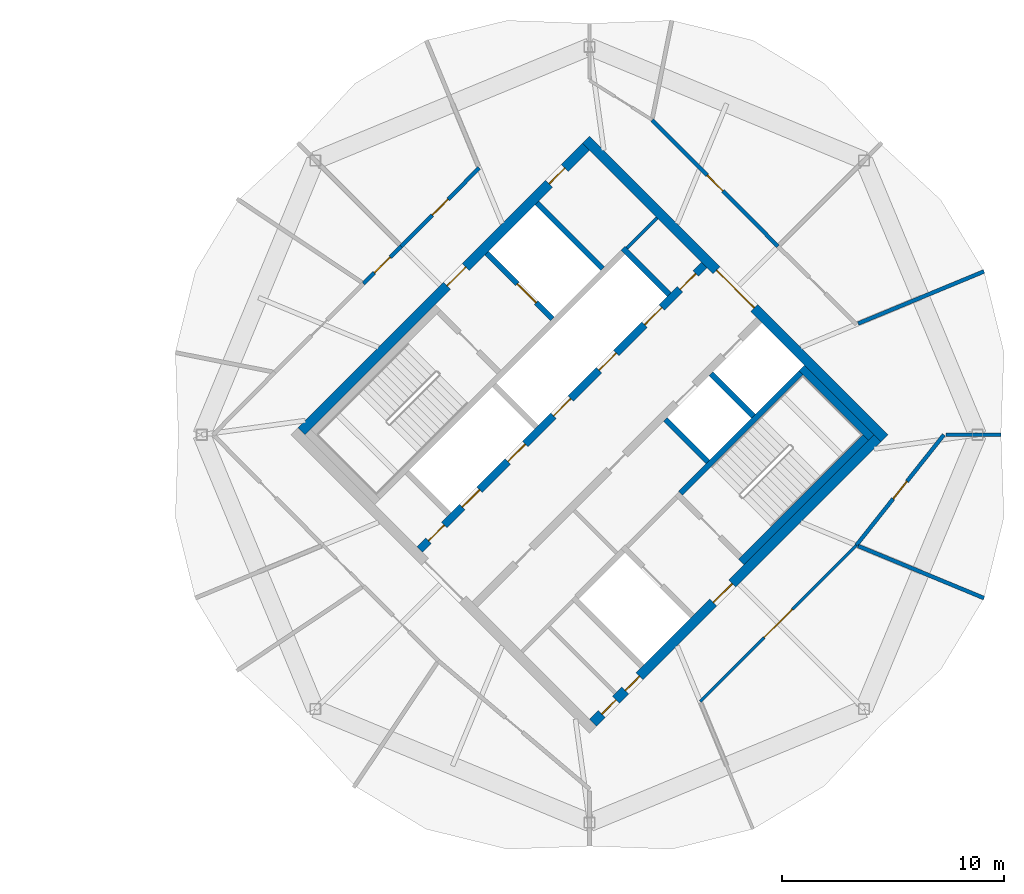
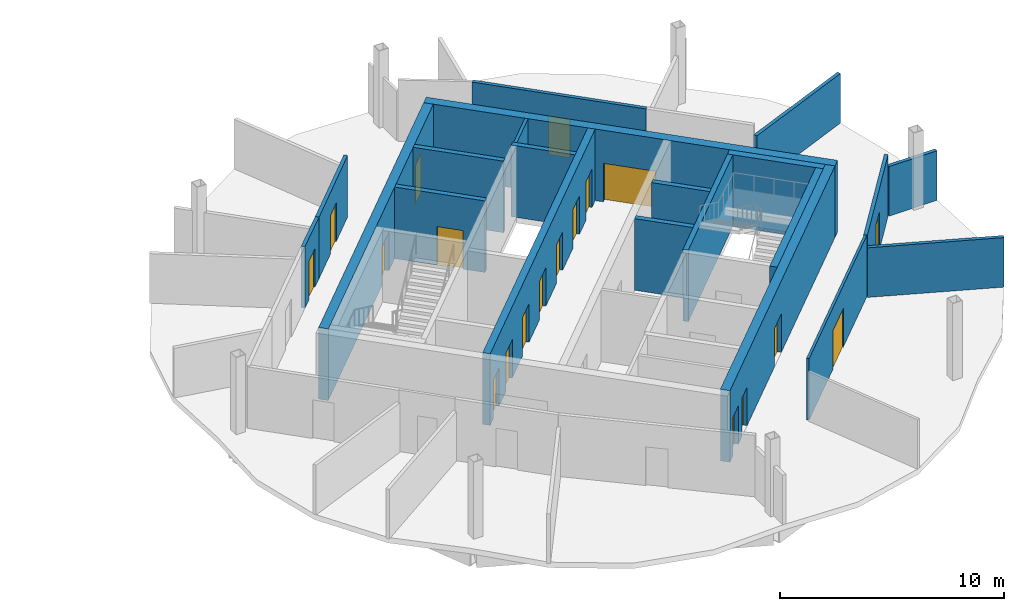
# One storey, part 8 of 11: 21 walls, 19 doors, 19 openings.
"""IFC4 building model written with IfcOpenShell, lengths in metres."""

from ifc_helpers import new_model, si_unit, direction, frame, frame_2d, origin, place, context, subcontext, project, spatial, rectangle, extrude, material, layer, layer_set, type_object, element, fill, save


model = new_model("IFC4")

# Units and contexts
model_context = context("Model", 3, precision=1e-05, world=origin(), true_north=direction((0.0, 1.0)))
body_context = subcontext(model_context, "Body", "Model", "MODEL_VIEW")
ifc_project = project(units=[si_unit("LENGTHUNIT", "METRE"), si_unit("AREAUNIT", "SQUARE_METRE"), si_unit("VOLUMEUNIT", "CUBIC_METRE"), si_unit("PLANEANGLEUNIT", "RADIAN"), si_unit("MASSUNIT", "GRAM", prefix="KILO")], contexts=[model_context])

# Site, building, storey
site_placement = place(None, origin())
site = spatial("IfcSite", under=ifc_project, at=site_placement, CompositionType="ELEMENT")
building_placement = place(site_placement, origin())
building = spatial("IfcBuilding", under=site, at=building_placement, Name="Ogive Gate Towers", CompositionType="ELEMENT")
storey_placement = place(building_placement, frame((0.0, 0.0, 281.39990234375)))
storey = spatial("IfcBuildingStorey", under=building, at=storey_placement, Name="L66", CompositionType="ELEMENT", Elevation=281.39990234375)

# Walls
ifc_material_1 = material(Name="Gypsum board acoustic partition")
ifc_layer_1 = layer(ifc_material_1, 0.175048828125)
ifc_layer_set_1 = layer_set([ifc_layer_1], Name="Acoustic partition 175")
wall_type_1 = type_object("IfcWallType", Name="Acoustic partition 175", PredefinedType="PARTITIONING", material=ifc_layer_set_1)
wall_1_placement = place(storey_placement, frame((54.509033203125, 0.0, 0.0), z_axis=(0.0, 0.0, 1.0), x_axis=(-1.0, 0.0, 0.0)))
element("IfcWall", 1, at=wall_1_placement, inside=storey, type_object=wall_type_1, Name="Partition T2-L66-001", PredefinedType="PARTITIONING", context=body_context, shape_type="SweptSolid", body=[
    extrude(rectangle(XDim=2.4814453125, YDim=0.175048828125, at=frame_2d((1.24072265625, 0.0))), origin(), (0.0, 0.0, 1.0), 2.7001953125),
])
for number, where, z_axis, x_axis, name in (
    (2, (53.747802734375, 7.351318359375, 0.0), (0.0, 0.0, 1.0), (-0.923879494329, -0.382683524544, 0.0), "Partition T2-L66-002"),
    (3, (53.747802734375, -7.351318359375, 0.0), (0.0, 0.0, 1.0), (-0.923879494329, 0.382683524544, 0.0), "Partition T2-L66-015"),
):
    element("IfcWall", number, at=place(storey_placement, frame(where, z_axis=z_axis, x_axis=x_axis)), inside=storey, type_object=wall_type_1, Name=name, PredefinedType="PARTITIONING", context=body_context, shape_type="SweptSolid", body=[
        extrude(rectangle(XDim=6.131591796875, YDim=0.175048828125, at=frame_2d((3.06591796875, 0.0))), origin(), (0.0, 0.0, 1.0), 2.7001953125),
    ])

# Wall, opening, door
wall_2_placement = place(storey_placement, frame((48.002197265625, -4.971435546875, 0.0), z_axis=(0.0, 0.0, 1.0), x_axis=(0.620922796932, 0.78387172436, 0.0)))
wall_2 = element("IfcWall", 4, at=wall_2_placement, inside=storey, type_object=wall_type_1, Name="Partition T2-L66-020", PredefinedType="PARTITIONING", context=body_context, shape_type="SweptSolid", body=[
    extrude(rectangle(XDim=6.342041015625, YDim=0.175048828125, at=frame_2d((3.1708984375, 0.0))), origin(), (0.0, 0.0, 1.0), 3.35009765625),
])
opening_1_placement = place(wall_2_placement, frame((2.6708984375, 0.0, 0.0)))
opening_1 = element("IfcOpeningElement", 5, at=opening_1_placement, cuts=wall_2, Name="Opening T2-L66-D05", PredefinedType="OPENING", context=body_context, shape_type="SweptSolid", body=[
    extrude(rectangle(XDim=1.0, YDim=2.10009765625, at=frame_2d((0.5, 1.050048828125))), frame((0.0, 0.09765625, 0.0), z_axis=(0.0, -1.0, 0.0), x_axis=(1.0, 0.0, 0.0)), (0.0, 0.0, 1.0), 0.195068359375),
])
ifc_material_2 = material(Name="Timber door", Category="wood")
door_type_1 = type_object("IfcDoorType", Name="Door 1000", OperationType="NOTDEFINED", PredefinedType="DOOR", material=ifc_material_2)
door_1_placement = place(opening_1_placement, origin())
door_1 = element("IfcDoor", 6, at=door_1_placement, inside=storey, type_object=door_type_1, Name="Door T2-L66-D05", OperationType="SINGLE_SWING_LEFT", OverallHeight=2.10009765625, OverallWidth=1.0, PredefinedType="DOOR", context=body_context, shape_type="SweptSolid", body=[
    extrude(rectangle(XDim=1.0, YDim=2.10009765625, at=frame_2d((0.5, 1.050048828125))), frame((0.0, 0.02490234375, 0.0), z_axis=(0.0, -1.0, 0.0), x_axis=(1.0, 0.0, 0.0)), (0.0, 0.0, 1.0), 0.050048828125),
])
fill(opening_1, door_1)

wall_3_placement = place(storey_placement, frame((44.478271484375, 8.478271484375, 0.0), z_axis=(0.0, 0.0, 1.0), x_axis=(-0.705965540047, 0.708246183375, 0.0)))
wall_3 = element("IfcWall", 7, at=wall_3_placement, inside=storey, type_object=wall_type_1, Name="Partition T2-L66-022", PredefinedType="PARTITIONING", context=body_context, shape_type="SweptSolid", body=[
    extrude(rectangle(XDim=8.028564453125, YDim=0.175048828125, at=frame_2d((4.01416015625, 0.0))), origin(), (0.0, 0.0, 1.0), 3.35009765625),
])
opening_2_placement = place(wall_3_placement, frame((3.513916015625, 0.0, 0.0)))
opening_2 = element("IfcOpeningElement", 8, at=opening_2_placement, cuts=wall_3, Name="Opening T2-L66-D07", PredefinedType="OPENING", context=body_context, shape_type="SweptSolid", body=[
    extrude(rectangle(XDim=1.0, YDim=2.10009765625, at=frame_2d((0.5, 1.050048828125))), frame((0.0, 0.09765625, 0.0), z_axis=(0.0, -1.0, 0.0), x_axis=(1.0, 0.0, 0.0)), (0.0, 0.0, 1.0), 0.195068359375),
])
door_2_placement = place(opening_2_placement, origin())
door_2 = element("IfcDoor", 9, at=door_2_placement, inside=storey, type_object=door_type_1, Name="Door T2-L66-D07", OperationType="SINGLE_SWING_LEFT", OverallHeight=2.10009765625, OverallWidth=1.0, PredefinedType="DOOR", context=body_context, shape_type="SweptSolid", body=[
    extrude(rectangle(XDim=1.0, YDim=2.10009765625, at=frame_2d((0.5, 1.050048828125))), frame((0.0, 0.02490234375, 0.0), z_axis=(0.0, -1.0, 0.0), x_axis=(1.0, 0.0, 0.0)), (0.0, 0.0, 1.0), 0.050048828125),
])
fill(opening_2, door_2)

wall_4_placement = place(storey_placement, frame((31.028564453125, 12.002197265625, 0.0), z_axis=(0.0, 0.0, 1.0), x_axis=(-0.705385915656, -0.708823468851, 0.0)))
wall_4 = element("IfcWall", 10, at=wall_4_placement, inside=storey, type_object=wall_type_1, Name="Partition T2-L66-024", PredefinedType="PARTITIONING", context=body_context, shape_type="SweptSolid", body=[
    extrude(rectangle(XDim=4.971435546875, YDim=0.175048828125, at=frame_2d((2.48583984375, 0.0))), origin(), (0.0, 0.0, 1.0), 3.35009765625),
])
opening_3_placement = place(wall_4_placement, frame((1.986083984375, 0.0, 0.0)))
opening_3 = element("IfcOpeningElement", 11, at=opening_3_placement, cuts=wall_4, Name="Opening T2-L66-D09", PredefinedType="OPENING", context=body_context, shape_type="SweptSolid", body=[
    extrude(rectangle(XDim=1.0, YDim=2.10009765625, at=frame_2d((0.5, 1.050048828125))), frame((0.0, 0.09765625, 0.0), z_axis=(0.0, -1.0, 0.0), x_axis=(1.0, 0.0, 0.0)), (0.0, 0.0, 1.0), 0.195068359375),
])
door_3_placement = place(opening_3_placement, origin())
door_3 = element("IfcDoor", 12, at=door_3_placement, inside=storey, type_object=door_type_1, Name="Door T2-L66-D09", OperationType="SINGLE_SWING_LEFT", OverallHeight=2.10009765625, OverallWidth=1.0, PredefinedType="DOOR", context=body_context, shape_type="SweptSolid", body=[
    extrude(rectangle(XDim=1.0, YDim=2.10009765625, at=frame_2d((0.5, 1.050048828125))), frame((0.0, 0.02490234375, 0.0), z_axis=(0.0, -1.0, 0.0), x_axis=(1.0, 0.0, 0.0)), (0.0, 0.0, 1.0), 0.050048828125),
])
fill(opening_3, door_3)

wall_5_placement = place(storey_placement, frame((27.521728515625, 8.478271484375, 0.0), z_axis=(0.0, 0.0, 1.0), x_axis=(-0.711958025841, -0.702222022896, 0.0)))
wall_5 = element("IfcWall", 13, at=wall_5_placement, inside=storey, type_object=wall_type_1, Name="Partition T2-L66-025", PredefinedType="PARTITIONING", context=body_context, shape_type="SweptSolid", body=[
    extrude(rectangle(XDim=2.38232421875, YDim=0.175048828125, at=frame_2d((1.191162109375, 0.0))), origin(), (0.0, 0.0, 1.0), 3.35009765625),
])
opening_4_placement = place(wall_5_placement, frame((0.69091796875, 0.0, 0.0)))
opening_4 = element("IfcOpeningElement", 14, at=opening_4_placement, cuts=wall_5, Name="Opening T2-L66-D10", PredefinedType="OPENING", context=body_context, shape_type="SweptSolid", body=[
    extrude(rectangle(XDim=1.0, YDim=2.10009765625, at=frame_2d((0.5, 1.050048828125))), frame((0.0, 0.09765625, 0.0), z_axis=(0.0, -1.0, 0.0), x_axis=(1.0, 0.0, 0.0)), (0.0, 0.0, 1.0), 0.195068359375),
])
door_4_placement = place(opening_4_placement, origin())
door_4 = element("IfcDoor", 15, at=door_4_placement, inside=storey, type_object=door_type_1, Name="Door T2-L66-D10", OperationType="SINGLE_SWING_LEFT", OverallHeight=2.10009765625, OverallWidth=1.0, PredefinedType="DOOR", context=body_context, shape_type="SweptSolid", body=[
    extrude(rectangle(XDim=1.0, YDim=2.10009765625, at=frame_2d((0.5, 1.050048828125))), frame((0.0, 0.02490234375, 0.0), z_axis=(0.0, -1.0, 0.0), x_axis=(1.0, 0.0, 0.0)), (0.0, 0.0, 1.0), 0.050048828125),
])
fill(opening_4, door_4)

# Wall, openings, doors
ifc_material_3 = material(Name="Concrete C60/75", Category="concrete")
ifc_layer_2 = layer(ifc_material_3, 0.449951171875)
ifc_layer_set_2 = layer_set([ifc_layer_2], Name="Core wall 450 mm")
wall_type_2 = type_object("IfcWallType", Name="Core wall 450 mm", PredefinedType="SHEAR", material=ifc_layer_set_2)
wall_6_placement = place(storey_placement, frame((36.1591796875, -12.957763671875, 0.0), z_axis=(0.0, 0.0, 1.0), x_axis=(0.707106781187, 0.707106781187, 0.0)))
wall_6 = element("IfcWall", 16, at=wall_6_placement, inside=storey, type_object=wall_type_2, Name="T2 L66 Core wall 450 mm", PredefinedType="SHEAR", context=body_context, shape_type="SweptSolid", body=[
    extrude(rectangle(XDim=18.099853515625, YDim=0.449951171875, at=frame_2d((9.0498046875, 0.0))), origin(), (0.0, 0.0, 1.0), 3.900146484375),
])
opening_5_placement = place(wall_6_placement, frame((7.64990234375, 0.0, 0.0)))
opening_5 = element("IfcOpeningElement", 17, at=opening_5_placement, cuts=wall_6, Name="Opening KD-T2-L66-19", PredefinedType="OPENING", context=body_context, shape_type="SweptSolid", body=[
    extrude(rectangle(XDim=1.199951171875, YDim=2.10009765625, at=frame_2d((0.60009765625, 1.050048828125))), frame((0.0, 0.23486328125, 0.0), z_axis=(0.0, -1.0, 0.0), x_axis=(1.0, 0.0, 0.0)), (0.0, 0.0, 1.0), 0.469970703125),
])
opening_6_placement = place(wall_6_placement, frame((0.550048828125, 0.0, 0.0)))
opening_6 = element("IfcOpeningElement", 18, at=opening_6_placement, cuts=wall_6, Name="Opening KD-T2-L66-21", PredefinedType="OPENING", context=body_context, shape_type="SweptSolid", body=[
    extrude(rectangle(XDim=0.89990234375, YDim=2.10009765625, at=frame_2d((0.449951171875, 1.050048828125))), frame((0.0, 0.23486328125, 0.0), z_axis=(0.0, -1.0, 0.0), x_axis=(1.0, 0.0, 0.0)), (0.0, 0.0, 1.0), 0.469970703125),
])
opening_7_placement = place(wall_6_placement, frame((2.050048828125, 0.0, 0.0)))
opening_7 = element("IfcOpeningElement", 19, at=opening_7_placement, cuts=wall_6, Name="Opening KD-T2-L66-22", PredefinedType="OPENING", context=body_context, shape_type="SweptSolid", body=[
    extrude(rectangle(XDim=0.89990234375, YDim=2.10009765625, at=frame_2d((0.449951171875, 1.050048828125))), frame((0.0, 0.23486328125, 0.0), z_axis=(0.0, -1.0, 0.0), x_axis=(1.0, 0.0, 0.0)), (0.0, 0.0, 1.0), 0.469970703125),
])
door_type_2 = type_object("IfcDoorType", Name="Core WC door 900 x 2100", OperationType="NOTDEFINED", PredefinedType="DOOR", material=ifc_material_2)
door_5_placement = place(opening_6_placement, origin())
door_5 = element("IfcDoor", 20, at=door_5_placement, inside=storey, type_object=door_type_2, Name="T2 L66 Core door", OperationType="SINGLE_SWING_RIGHT", OverallHeight=2.10009765625, OverallWidth=0.89990234375, PredefinedType="DOOR", context=body_context, shape_type="SweptSolid", body=[
    extrude(rectangle(XDim=0.89990234375, YDim=2.10009765625, at=frame_2d((0.449951171875, 1.050048828125))), frame((0.0, 0.02490234375, 0.0), z_axis=(0.0, -1.0, 0.0), x_axis=(1.0, 0.0, 0.0)), (0.0, 0.0, 1.0), 0.050048828125),
])
fill(opening_6, door_5)
door_6_placement = place(opening_7_placement, origin())
door_6 = element("IfcDoor", 21, at=door_6_placement, inside=storey, type_object=door_type_2, Name="T2 L66 Core door", OperationType="SINGLE_SWING_LEFT", OverallHeight=2.10009765625, OverallWidth=0.89990234375, PredefinedType="DOOR", context=body_context, shape_type="SweptSolid", body=[
    extrude(rectangle(XDim=0.89990234375, YDim=2.10009765625, at=frame_2d((0.449951171875, 1.050048828125))), frame((0.0, 0.02490234375, 0.0), z_axis=(0.0, -1.0, 0.0), x_axis=(1.0, 0.0, 0.0)), (0.0, 0.0, 1.0), 0.050048828125),
])
fill(opening_7, door_6)
ifc_material_4 = material(Name="Steel fire door", Category="steel")
door_type_3 = type_object("IfcDoorType", Name="Core door FD60S 1200 x 2100", OperationType="NOTDEFINED", PredefinedType="DOOR", material=ifc_material_4)
door_7_placement = place(opening_5_placement, origin())
door_7 = element("IfcDoor", 22, at=door_7_placement, inside=storey, type_object=door_type_3, Name="T2 L66 Fire-fighting lobby door", OperationType="SINGLE_SWING_RIGHT", OverallHeight=2.10009765625, OverallWidth=1.199951171875, PredefinedType="DOOR", context=body_context, shape_type="SweptSolid", body=[
    extrude(rectangle(XDim=1.199951171875, YDim=2.10009765625, at=frame_2d((0.60009765625, 1.050048828125))), frame((0.0, 0.02490234375, 0.0), z_axis=(0.0, -1.0, 0.0), x_axis=(1.0, 0.0, 0.0)), (0.0, 0.0, 1.0), 0.050048828125),
])
fill(opening_5, door_7)

wall_7_placement = place(storey_placement, frame((23.042236328125, 0.1591796875, 0.0), z_axis=(0.0, 0.0, 1.0), x_axis=(0.707106781187, 0.707106781187, 0.0)))
wall_7 = element("IfcWall", 23, at=wall_7_placement, inside=storey, type_object=wall_type_2, Name="T2 L66 Core wall 450 mm", PredefinedType="SHEAR", context=body_context, shape_type="SweptSolid", body=[
    extrude(rectangle(XDim=18.099853515625, YDim=0.449951171875, at=frame_2d((9.0498046875, 0.0))), origin(), (0.0, 0.0, 1.0), 3.900146484375),
])
opening_8_placement = place(wall_7_placement, frame((9.25, 0.0, 0.0)))
opening_8 = element("IfcOpeningElement", 24, at=opening_8_placement, cuts=wall_7, Name="Opening KD-T2-L66-18", PredefinedType="OPENING", context=body_context, shape_type="SweptSolid", body=[
    extrude(rectangle(XDim=1.199951171875, YDim=2.10009765625, at=frame_2d((0.60009765625, 1.050048828125))), frame((0.0, 0.23486328125, 0.0), z_axis=(0.0, -1.0, 0.0), x_axis=(1.0, 0.0, 0.0)), (0.0, 0.0, 1.0), 0.469970703125),
])
opening_9_placement = place(wall_7_placement, frame((15.75, 0.0, 0.0)))
opening_9 = element("IfcOpeningElement", 25, at=opening_9_placement, cuts=wall_7, Name="Opening KD-T2-L66-20", PredefinedType="OPENING", context=body_context, shape_type="SweptSolid", body=[
    extrude(rectangle(XDim=1.0, YDim=2.10009765625, at=frame_2d((0.5, 1.050048828125))), frame((0.0, 0.23486328125, 0.0), z_axis=(0.0, -1.0, 0.0), x_axis=(1.0, 0.0, 0.0)), (0.0, 0.0, 1.0), 0.469970703125),
])
door_type_4 = type_object("IfcDoorType", Name="Accessible WC door 1000 x 2100", OperationType="NOTDEFINED", PredefinedType="DOOR", material=ifc_material_2)
door_8_placement = place(opening_9_placement, origin())
door_8 = element("IfcDoor", 26, at=door_8_placement, inside=storey, type_object=door_type_4, Name="T2 L66 Core door", OperationType="SINGLE_SWING_LEFT", OverallHeight=2.10009765625, OverallWidth=1.0, PredefinedType="DOOR", context=body_context, shape_type="SweptSolid", body=[
    extrude(rectangle(XDim=1.0, YDim=2.10009765625, at=frame_2d((0.5, 1.050048828125))), frame((0.0, 0.02490234375, 0.0), z_axis=(0.0, -1.0, 0.0), x_axis=(1.0, 0.0, 0.0)), (0.0, 0.0, 1.0), 0.050048828125),
])
fill(opening_9, door_8)
door_9_placement = place(opening_8_placement, origin())
door_9 = element("IfcDoor", 27, at=door_9_placement, inside=storey, type_object=door_type_3, Name="T2 L66 Fire-fighting lobby door", OperationType="SINGLE_SWING_LEFT", OverallHeight=2.10009765625, OverallWidth=1.199951171875, PredefinedType="DOOR", context=body_context, shape_type="SweptSolid", body=[
    extrude(rectangle(XDim=1.199951171875, YDim=2.10009765625, at=frame_2d((0.60009765625, 1.050048828125))), frame((0.0, 0.02490234375, 0.0), z_axis=(0.0, -1.0, 0.0), x_axis=(1.0, 0.0, 0.0)), (0.0, 0.0, 1.0), 0.050048828125),
])
fill(opening_8, door_9)

# Wall, opening, door
wall_8_placement = place(storey_placement, frame((49.27587890625, -0.1591796875, 0.0), z_axis=(0.0, 0.0, 1.0), x_axis=(-0.707106781187, 0.707106781187, 0.0)))
wall_8 = element("IfcWall", 28, at=wall_8_placement, inside=storey, type_object=wall_type_2, Name="T2 L66 Core wall 450 mm", PredefinedType="SHEAR", context=body_context, shape_type="SweptSolid", body=[
    extrude(rectangle(XDim=19.0, YDim=0.449951171875, at=frame_2d((9.5, 0.0))), origin(), (0.0, 0.0, 1.0), 3.900146484375),
])
opening_10_placement = place(wall_8_placement, frame((8.300048828125, 0.0, 0.0)))
opening_10 = element("IfcOpeningElement", 29, at=opening_10_placement, cuts=wall_8, Name="Opening KD-T2-L66-02", PredefinedType="OPENING", context=body_context, shape_type="SweptSolid", body=[
    extrude(rectangle(XDim=2.39990234375, YDim=2.10009765625, at=frame_2d((1.199951171875, 1.050048828125))), frame((0.0, 0.23486328125, 0.0), z_axis=(0.0, -1.0, 0.0), x_axis=(1.0, 0.0, 0.0)), (0.0, 0.0, 1.0), 0.469970703125),
])
door_type_5 = type_object("IfcDoorType", Name="Core double door FD60S 2400 x 2100", OperationType="DOUBLE_DOOR_SINGLE_SWING", PredefinedType="DOOR", material=ifc_material_4)
door_10_placement = place(opening_10_placement, origin())
door_10 = element("IfcDoor", 30, at=door_10_placement, inside=storey, type_object=door_type_5, Name="T2 L66 Core door double", OperationType="DOUBLE_DOOR_SINGLE_SWING", OverallHeight=2.10009765625, OverallWidth=2.39990234375, PredefinedType="DOOR", context=body_context, shape_type="SweptSolid", body=[
    extrude(rectangle(XDim=2.39990234375, YDim=2.10009765625, at=frame_2d((1.199951171875, 1.050048828125))), frame((0.0, 0.02490234375, 0.0), z_axis=(0.0, -1.0, 0.0), x_axis=(1.0, 0.0, 0.0)), (0.0, 0.0, 1.0), 0.050048828125),
])
fill(opening_10, door_10)

ifc_material_5 = material(Name="Gypsum board partition")
ifc_layer_3 = layer(ifc_material_5, 0.125)
ifc_layer_set_3 = layer_set([ifc_layer_3], Name="Partition 125")
wall_type_3 = type_object("IfcWallType", Name="Partition 125", PredefinedType="PARTITIONING", material=ifc_layer_set_3)
wall_9_placement = place(storey_placement, frame((40.971435546875, -12.002197265625, 0.0), z_axis=(0.0, 0.0, 1.0), x_axis=(0.707106781187, 0.707106781187, 0.0)))
wall_9 = element("IfcWall", 31, at=wall_9_placement, inside=storey, type_object=wall_type_3, Name="Partition T2-L66-019", PredefinedType="PARTITIONING", context=body_context, shape_type="SweptSolid", body=[
    extrude(rectangle(XDim=9.943115234375, YDim=0.125, at=frame_2d((4.9716796875, 0.0))), origin(), (0.0, 0.0, 1.0), 3.35009765625),
])
opening_11_placement = place(wall_9_placement, frame((4.071044921875, 0.0, 0.0)))
opening_11 = element("IfcOpeningElement", 32, at=opening_11_placement, cuts=wall_9, Name="Opening T2-L66-D04", PredefinedType="OPENING", context=body_context, shape_type="SweptSolid", body=[
    extrude(rectangle(XDim=1.800048828125, YDim=2.10009765625, at=frame_2d((0.89990234375, 1.050048828125))), frame((0.0, 0.072509765625, 0.0), z_axis=(0.0, -1.0, 0.0), x_axis=(1.0, 0.0, 0.0)), (0.0, 0.0, 1.0), 0.14501953125),
])
door_type_6 = type_object("IfcDoorType", Name="Door pair 1800", OperationType="NOTDEFINED", PredefinedType="DOOR", material=ifc_material_2)
door_11_placement = place(opening_11_placement, origin())
door_11 = element("IfcDoor", 33, at=door_11_placement, inside=storey, type_object=door_type_6, Name="Door T2-L66-D04", OperationType="DOUBLE_DOOR_DOUBLE_SWING", OverallHeight=2.10009765625, OverallWidth=1.800048828125, PredefinedType="DOOR", context=body_context, shape_type="SweptSolid", body=[
    extrude(rectangle(XDim=1.800048828125, YDim=2.10009765625, at=frame_2d((0.89990234375, 1.050048828125))), frame((0.0, 0.02490234375, 0.0), z_axis=(0.0, -1.0, 0.0), x_axis=(1.0, 0.0, 0.0)), (0.0, 0.0, 1.0), 0.050048828125),
])
fill(opening_11, door_11)

# Walls
ifc_layer_4 = layer(ifc_material_5, 0.14990234375)
ifc_layer_set_4 = layer_set([ifc_layer_4], Name="Room partition 150 mm")
wall_type_4 = type_object("IfcWallType", Name="Room partition 150 mm", PredefinedType="PARTITIONING", material=ifc_layer_set_4)
wall_10_placement = place(storey_placement, frame((37.679443359375, 8.39697265625, 0.0), z_axis=(0.0, 0.0, 1.0), x_axis=(0.707106781187, 0.707106781187, 0.0)))
element("IfcWall", 34, at=wall_10_placement, inside=storey, type_object=wall_type_4, Name="T2 L66 Room partition 150 mm", PredefinedType="PARTITIONING", context=body_context, shape_type="SweptSolid", body=[
    extrude(rectangle(XDim=1.9248046875, YDim=0.14990234375, at=frame_2d((0.96240234375, 0.0))), origin(), (0.0, 0.0, 1.0), 3.900146484375),
])
ifc_layer_5 = layer(ifc_material_3, 0.25)
ifc_layer_set_5 = layer_set([ifc_layer_5], Name="Shaft wall 250 mm")
wall_type_5 = type_object("IfcWallType", Name="Shaft wall 250 mm", PredefinedType="SHEAR", material=ifc_layer_set_5)
wall_11_placement = place(storey_placement, frame((40.08349609375, -2.634033203125, 0.0), z_axis=(0.0, 0.0, 1.0), x_axis=(0.707090876314, 0.707122685701, 0.0)))
element("IfcWall", 35, at=wall_11_placement, inside=storey, type_object=wall_type_5, Name="T2 L66 Shaft wall 250 mm", PredefinedType="SHEAR", context=body_context, shape_type="SweptSolid", body=[
    extrude(rectangle(XDim=7.675048828125, YDim=0.25, at=frame_2d((3.83740234375, 0.0))), origin(), (0.0, 0.0, 1.0), 3.900146484375),
])

# Wall, opening, door
wall_12_placement = place(storey_placement, frame((34.320556640625, 5.21484375, 0.0), z_axis=(0.0, 0.0, 1.0), x_axis=(-0.707106781187, 0.707106781187, 0.0)))
wall_12 = element("IfcWall", 36, at=wall_12_placement, inside=storey, type_object=wall_type_5, Name="T2 L66 Shaft wall 250 mm", PredefinedType="SHEAR", context=body_context, shape_type="SweptSolid", body=[
    extrude(rectangle(XDim=4.175048828125, YDim=0.25, at=frame_2d((2.08740234375, 0.0))), origin(), (0.0, 0.0, 1.0), 3.900146484375),
])
opening_12_placement = place(wall_12_placement, frame((1.02490234375, 0.0, 0.0)))
opening_12 = element("IfcOpeningElement", 37, at=opening_12_placement, cuts=wall_12, Name="Opening LD-T2-L66-12", PredefinedType="OPENING", context=body_context, shape_type="SweptSolid", body=[
    extrude(rectangle(XDim=1.199951171875, YDim=2.10009765625, at=frame_2d((0.60009765625, 1.050048828125))), frame((0.0, 0.135009765625, 0.0), z_axis=(0.0, -1.0, 0.0), x_axis=(1.0, 0.0, 0.0)), (0.0, 0.0, 1.0), 0.27001953125),
])
ifc_material_6 = material(Name="Stainless steel landing door", Category="steel")
door_type_7 = type_object("IfcDoorType", Name="Landing door 1200 x 2100", OperationType="SLIDING_TO_LEFT", PredefinedType="DOOR", material=ifc_material_6)
door_12_placement = place(opening_12_placement, origin())
door_12 = element("IfcDoor", 38, at=door_12_placement, inside=storey, type_object=door_type_7, Name="T2 L66 Lift landing door FF1", OperationType="SLIDING_TO_LEFT", OverallHeight=2.10009765625, OverallWidth=1.199951171875, PredefinedType="DOOR", context=body_context, shape_type="SweptSolid", body=[
    extrude(rectangle(XDim=1.199951171875, YDim=2.10009765625, at=frame_2d((0.60009765625, 1.050048828125))), frame((0.0, 0.02490234375, 0.0), z_axis=(0.0, -1.0, 0.0), x_axis=(1.0, 0.0, 0.0)), (0.0, 0.0, 1.0), 0.050048828125),
])
fill(opening_12, door_12)

# Walls
wall_13_placement = place(storey_placement, frame((41.321044921875, -1.2197265625, 0.0), z_axis=(0.0, 0.0, 1.0), x_axis=(-0.707106781187, 0.707106781187, 0.0)))
element("IfcWall", 39, at=wall_13_placement, inside=storey, type_object=wall_type_5, Name="T2 L66 Shaft wall 250 mm", PredefinedType="SHEAR", context=body_context, shape_type="SweptSolid", body=[
    extrude(rectangle(XDim=2.699951171875, YDim=0.25, at=frame_2d((1.35009765625, 0.0))), origin(), (0.0, 0.0, 1.0), 3.900146484375),
])
wall_14_placement = place(storey_placement, frame((36.58349609375, 7.477783203125, 0.0), z_axis=(0.0, 0.0, 1.0), x_axis=(-0.707165256008, 0.707048301529, 0.0)))
element("IfcWall", 40, at=wall_14_placement, inside=storey, type_object=wall_type_5, Name="T2 L66 Shaft wall 250 mm", PredefinedType="SHEAR", context=body_context, shape_type="SweptSolid", body=[
    extrude(rectangle(XDim=4.175048828125, YDim=0.25, at=frame_2d((2.08740234375, 0.0))), origin(), (0.0, 0.0, 1.0), 3.900146484375),
])
wall_15_placement = place(storey_placement, frame((43.37158203125, 0.830810546875, 0.0), z_axis=(0.0, 0.0, 1.0), x_axis=(-0.707106781187, 0.707106781187, 0.0)))
element("IfcWall", 41, at=wall_15_placement, inside=storey, type_object=wall_type_5, Name="T2 L66 Shaft wall 250 mm", PredefinedType="SHEAR", context=body_context, shape_type="SweptSolid", body=[
    extrude(rectangle(XDim=2.699951171875, YDim=0.25, at=frame_2d((1.35009765625, 0.0))), origin(), (0.0, 0.0, 1.0), 3.900146484375),
])
wall_16_placement = place(storey_placement, frame((39.588623046875, 6.310791015625, 0.0), z_axis=(0.0, 0.0, 1.0), x_axis=(-0.707065402085, 0.707148157867, 0.0)))
element("IfcWall", 42, at=wall_16_placement, inside=storey, type_object=wall_type_5, Name="T2 L66 Shaft wall 250 mm", PredefinedType="SHEAR", context=body_context, shape_type="SweptSolid", body=[
    extrude(rectangle(XDim=2.9501953125, YDim=0.25, at=frame_2d((1.47509765625, 0.0))), origin(), (0.0, 0.0, 1.0), 3.900146484375),
])

# Wall, openings, doors
ifc_layer_6 = layer(ifc_material_3, 0.35009765625)
ifc_layer_set_6 = layer_set([ifc_layer_6], Name="Spine wall 350 mm")
wall_type_6 = type_object("IfcWallType", Name="Spine wall 350 mm", PredefinedType="SHEAR", material=ifc_layer_set_6)
wall_17_placement = place(storey_placement, frame((28.36328125, -5.161865234375, 0.0), z_axis=(0.0, 0.0, 1.0), x_axis=(0.707106781187, 0.707106781187, 0.0)))
wall_17 = element("IfcWall", 43, at=wall_17_placement, inside=storey, type_object=wall_type_6, Name="T2 L66 Spine wall 350 mm", PredefinedType="SHEAR", context=body_context, shape_type="SweptSolid", body=[
    extrude(rectangle(XDim=18.099853515625, YDim=0.35009765625, at=frame_2d((9.0498046875, 0.0))), origin(), (0.0, 0.0, 1.0), 3.900146484375),
])
opening_13_placement = place(wall_17_placement, frame((0.550048828125, 0.0, 0.0)))
opening_13 = element("IfcOpeningElement", 44, at=opening_13_placement, cuts=wall_17, Name="Opening KD-T2-L66-03", PredefinedType="OPENING", context=body_context, shape_type="SweptSolid", body=[
    extrude(rectangle(XDim=1.0, YDim=2.10009765625, at=frame_2d((0.5, 1.050048828125))), frame((0.0, 0.18505859375, 0.0), z_axis=(0.0, -1.0, 0.0), x_axis=(1.0, 0.0, 0.0)), (0.0, 0.0, 1.0), 0.3701171875),
])
opening_14_placement = place(wall_17_placement, frame((2.699951171875, 0.0, 0.0)))
opening_14 = element("IfcOpeningElement", 45, at=opening_14_placement, cuts=wall_17, Name="Opening LD-T2-L66-04", PredefinedType="OPENING", context=body_context, shape_type="SweptSolid", body=[
    extrude(rectangle(XDim=1.10009765625, YDim=2.10009765625, at=frame_2d((0.550048828125, 1.050048828125))), frame((0.0, 0.18505859375, 0.0), z_axis=(0.0, -1.0, 0.0), x_axis=(1.0, 0.0, 0.0)), (0.0, 0.0, 1.0), 0.3701171875),
])
opening_15_placement = place(wall_17_placement, frame((5.60009765625, 0.0, 0.0)))
opening_15 = element("IfcOpeningElement", 46, at=opening_15_placement, cuts=wall_17, Name="Opening LD-T2-L66-05", PredefinedType="OPENING", context=body_context, shape_type="SweptSolid", body=[
    extrude(rectangle(XDim=1.10009765625, YDim=2.10009765625, at=frame_2d((0.550048828125, 1.050048828125))), frame((0.0, 0.18505859375, 0.0), z_axis=(0.0, -1.0, 0.0), x_axis=(1.0, 0.0, 0.0)), (0.0, 0.0, 1.0), 0.3701171875),
])
opening_16_placement = place(wall_17_placement, frame((8.5, 0.0, 0.0)))
opening_16 = element("IfcOpeningElement", 47, at=opening_16_placement, cuts=wall_17, Name="Opening LD-T2-L66-06", PredefinedType="OPENING", context=body_context, shape_type="SweptSolid", body=[
    extrude(rectangle(XDim=1.10009765625, YDim=2.10009765625, at=frame_2d((0.550048828125, 1.050048828125))), frame((0.0, 0.18505859375, 0.0), z_axis=(0.0, -1.0, 0.0), x_axis=(1.0, 0.0, 0.0)), (0.0, 0.0, 1.0), 0.3701171875),
])
opening_17_placement = place(wall_17_placement, frame((11.39990234375, 0.0, 0.0)))
opening_17 = element("IfcOpeningElement", 48, at=opening_17_placement, cuts=wall_17, Name="Opening LD-T2-L66-07", PredefinedType="OPENING", context=body_context, shape_type="SweptSolid", body=[
    extrude(rectangle(XDim=1.10009765625, YDim=2.10009765625, at=frame_2d((0.550048828125, 1.050048828125))), frame((0.0, 0.18505859375, 0.0), z_axis=(0.0, -1.0, 0.0), x_axis=(1.0, 0.0, 0.0)), (0.0, 0.0, 1.0), 0.3701171875),
])
opening_18_placement = place(wall_17_placement, frame((14.300048828125, 0.0, 0.0)))
opening_18 = element("IfcOpeningElement", 49, at=opening_18_placement, cuts=wall_17, Name="Opening LD-T2-L66-08", PredefinedType="OPENING", context=body_context, shape_type="SweptSolid", body=[
    extrude(rectangle(XDim=1.10009765625, YDim=2.10009765625, at=frame_2d((0.550048828125, 1.050048828125))), frame((0.0, 0.18505859375, 0.0), z_axis=(0.0, -1.0, 0.0), x_axis=(1.0, 0.0, 0.0)), (0.0, 0.0, 1.0), 0.3701171875),
])
opening_19_placement = place(wall_17_placement, frame((16.550048828125, 0.0, 0.0)))
opening_19 = element("IfcOpeningElement", 50, at=opening_19_placement, cuts=wall_17, Name="Opening KD-T2-L66-09", PredefinedType="OPENING", context=body_context, shape_type="SweptSolid", body=[
    extrude(rectangle(XDim=1.0, YDim=2.10009765625, at=frame_2d((0.5, 1.050048828125))), frame((0.0, 0.18505859375, 0.0), z_axis=(0.0, -1.0, 0.0), x_axis=(1.0, 0.0, 0.0)), (0.0, 0.0, 1.0), 0.3701171875),
])
door_type_8 = type_object("IfcDoorType", Name="Core door FD60S 1000 x 2100", OperationType="NOTDEFINED", PredefinedType="DOOR", material=ifc_material_4)
door_13_placement = place(opening_13_placement, origin())
door_13 = element("IfcDoor", 51, at=door_13_placement, inside=storey, type_object=door_type_8, Name="T2 L66 Core door", OperationType="SINGLE_SWING_RIGHT", OverallHeight=2.10009765625, OverallWidth=1.0, PredefinedType="DOOR", context=body_context, shape_type="SweptSolid", body=[
    extrude(rectangle(XDim=1.0, YDim=2.10009765625, at=frame_2d((0.5, 1.050048828125))), frame((0.0, 0.02490234375, 0.0), z_axis=(0.0, -1.0, 0.0), x_axis=(1.0, 0.0, 0.0)), (0.0, 0.0, 1.0), 0.050048828125),
])
fill(opening_13, door_13)
door_14_placement = place(opening_19_placement, origin())
door_14 = element("IfcDoor", 52, at=door_14_placement, inside=storey, type_object=door_type_8, Name="T2 L66 Core door", OperationType="SINGLE_SWING_RIGHT", OverallHeight=2.10009765625, OverallWidth=1.0, PredefinedType="DOOR", context=body_context, shape_type="SweptSolid", body=[
    extrude(rectangle(XDim=1.0, YDim=2.10009765625, at=frame_2d((0.5, 1.050048828125))), frame((0.0, 0.02490234375, 0.0), z_axis=(0.0, -1.0, 0.0), x_axis=(1.0, 0.0, 0.0)), (0.0, 0.0, 1.0), 0.050048828125),
])
fill(opening_19, door_14)
door_type_9 = type_object("IfcDoorType", Name="Landing door 1100 x 2100", OperationType="SLIDING_TO_LEFT", PredefinedType="DOOR", material=ifc_material_6)
door_15_placement = place(opening_14_placement, origin())
door_15 = element("IfcDoor", 53, at=door_15_placement, inside=storey, type_object=door_type_9, Name="T2 L66 Lift landing door B1", OperationType="SLIDING_TO_LEFT", OverallHeight=2.10009765625, OverallWidth=1.10009765625, PredefinedType="DOOR", context=body_context, shape_type="SweptSolid", body=[
    extrude(rectangle(XDim=1.10009765625, YDim=2.10009765625, at=frame_2d((0.550048828125, 1.050048828125))), frame((0.0, 0.02490234375, 0.0), z_axis=(0.0, -1.0, 0.0), x_axis=(1.0, 0.0, 0.0)), (0.0, 0.0, 1.0), 0.050048828125),
])
fill(opening_14, door_15)
door_16_placement = place(opening_15_placement, origin())
door_16 = element("IfcDoor", 54, at=door_16_placement, inside=storey, type_object=door_type_9, Name="T2 L66 Lift landing door B2", OperationType="SLIDING_TO_LEFT", OverallHeight=2.10009765625, OverallWidth=1.10009765625, PredefinedType="DOOR", context=body_context, shape_type="SweptSolid", body=[
    extrude(rectangle(XDim=1.10009765625, YDim=2.10009765625, at=frame_2d((0.550048828125, 1.050048828125))), frame((0.0, 0.02490234375, 0.0), z_axis=(0.0, -1.0, 0.0), x_axis=(1.0, 0.0, 0.0)), (0.0, 0.0, 1.0), 0.050048828125),
])
fill(opening_15, door_16)
door_17_placement = place(opening_16_placement, origin())
door_17 = element("IfcDoor", 55, at=door_17_placement, inside=storey, type_object=door_type_9, Name="T2 L66 Lift landing door B3", OperationType="SLIDING_TO_LEFT", OverallHeight=2.10009765625, OverallWidth=1.10009765625, PredefinedType="DOOR", context=body_context, shape_type="SweptSolid", body=[
    extrude(rectangle(XDim=1.10009765625, YDim=2.10009765625, at=frame_2d((0.550048828125, 1.050048828125))), frame((0.0, 0.02490234375, 0.0), z_axis=(0.0, -1.0, 0.0), x_axis=(1.0, 0.0, 0.0)), (0.0, 0.0, 1.0), 0.050048828125),
])
fill(opening_16, door_17)
door_18_placement = place(opening_17_placement, origin())
door_18 = element("IfcDoor", 56, at=door_18_placement, inside=storey, type_object=door_type_9, Name="T2 L66 Lift landing door B4", OperationType="SLIDING_TO_LEFT", OverallHeight=2.10009765625, OverallWidth=1.10009765625, PredefinedType="DOOR", context=body_context, shape_type="SweptSolid", body=[
    extrude(rectangle(XDim=1.10009765625, YDim=2.10009765625, at=frame_2d((0.550048828125, 1.050048828125))), frame((0.0, 0.02490234375, 0.0), z_axis=(0.0, -1.0, 0.0), x_axis=(1.0, 0.0, 0.0)), (0.0, 0.0, 1.0), 0.050048828125),
])
fill(opening_17, door_18)
door_19_placement = place(opening_18_placement, origin())
door_19 = element("IfcDoor", 57, at=door_19_placement, inside=storey, type_object=door_type_9, Name="T2 L66 Lift landing door B5", OperationType="SLIDING_TO_LEFT", OverallHeight=2.10009765625, OverallWidth=1.10009765625, PredefinedType="DOOR", context=body_context, shape_type="SweptSolid", body=[
    extrude(rectangle(XDim=1.10009765625, YDim=2.10009765625, at=frame_2d((0.550048828125, 1.050048828125))), frame((0.0, 0.02490234375, 0.0), z_axis=(0.0, -1.0, 0.0), x_axis=(1.0, 0.0, 0.0)), (0.0, 0.0, 1.0), 0.050048828125),
])
fill(opening_18, door_19)

# Walls
ifc_layer_7 = layer(ifc_material_3, 0.35009765625)
ifc_layer_set_7 = layer_set([ifc_layer_7], Name="Stair wall 350 mm")
wall_type_7 = type_object("IfcWallType", Name="Stair wall 350 mm", PredefinedType="SHEAR", material=ifc_layer_set_7)
wall_18_placement = place(storey_placement, frame((42.823486328125, -5.7275390625, 0.0), z_axis=(0.0, 0.0, 1.0), x_axis=(0.707122184046, 0.707091377991, 0.0)))
element("IfcWall", 58, at=wall_18_placement, inside=storey, type_object=wall_type_7, Name="T2 L66 Stair wall 350 mm", PredefinedType="SHEAR", context=body_context, shape_type="SweptSolid", body=[
    extrude(rectangle(XDim=7.925048828125, YDim=0.35009765625, at=frame_2d((3.96240234375, 0.0))), origin(), (0.0, 0.0, 1.0), 3.900146484375),
])
wall_19_placement = place(storey_placement, frame((48.6748046875, -0.123779296875, 0.0), z_axis=(0.0, 0.0, 1.0), x_axis=(-0.707106781187, 0.707106781187, 0.0)))
element("IfcWall", 59, at=wall_19_placement, inside=storey, type_object=wall_type_7, Name="T2 L66 Stair wall 350 mm", PredefinedType="SHEAR", context=body_context, shape_type="SweptSolid", body=[
    extrude(rectangle(XDim=4.425048828125, YDim=0.35009765625, at=frame_2d((2.21240234375, 0.0))), origin(), (0.0, 0.0, 1.0), 3.900146484375),
])

save(model, "model.ifc")
